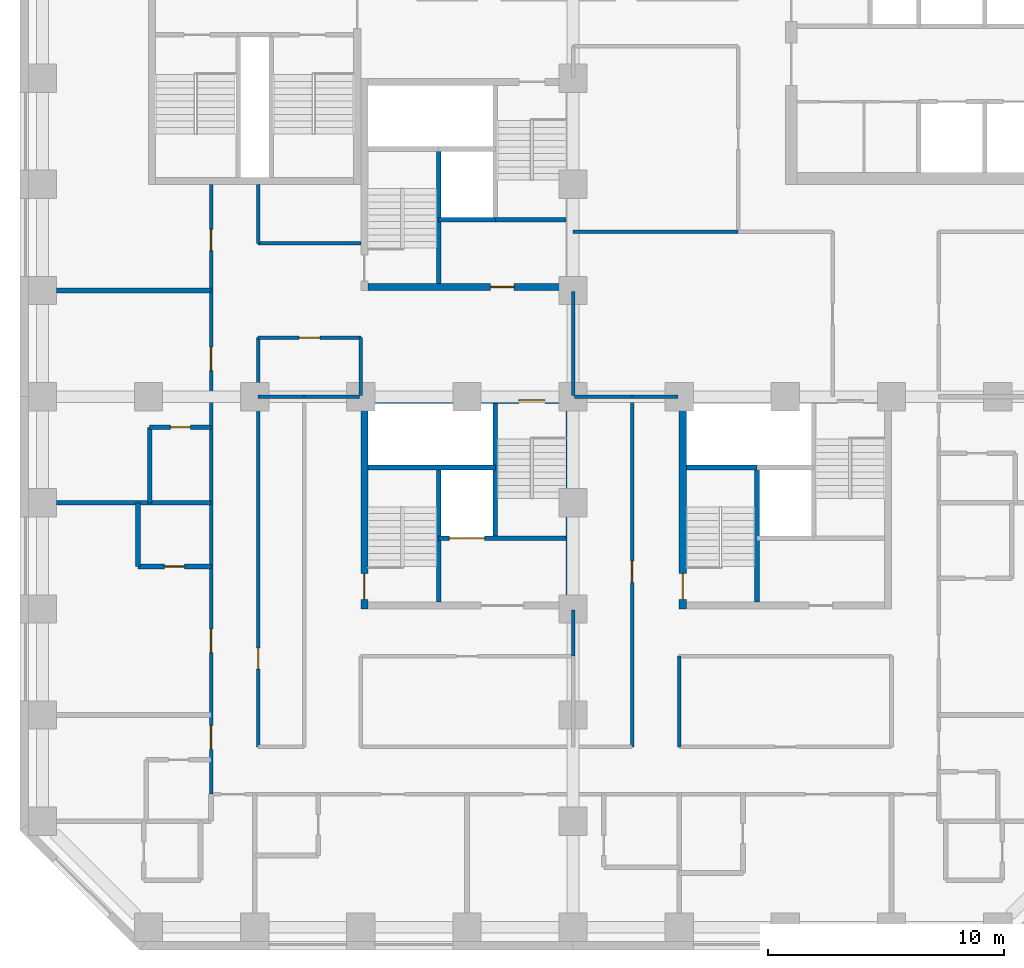
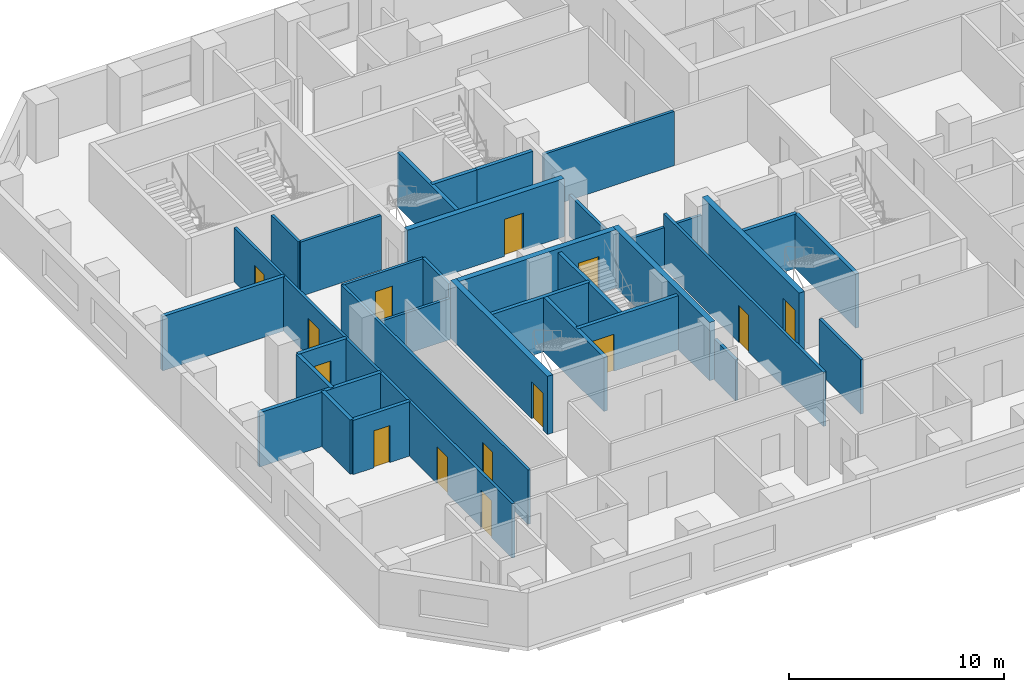
# One storey, part 3 of 12: 35 walls, 14 doors, 14 openings.
"""IFC4 building model written with IfcOpenShell, lengths in metres."""

from ifc_helpers import new_model, si_unit, direction, frame, frame_2d, origin, place, context, subcontext, project, spatial, rectangle, extrude, material, layer, layer_set, type_object, element, fill, save


model = new_model("IFC4")

# Units and contexts
model_context = context("Model", 3, precision=1e-05, world=origin(), true_north=direction((0.0, 1.0)))
body_context = subcontext(model_context, "Body", "Model", "MODEL_VIEW")
ifc_project = project(units=[si_unit("LENGTHUNIT", "METRE"), si_unit("AREAUNIT", "SQUARE_METRE"), si_unit("VOLUMEUNIT", "CUBIC_METRE"), si_unit("PLANEANGLEUNIT", "RADIAN"), si_unit("MASSUNIT", "GRAM", prefix="KILO")], contexts=[model_context])

# Site, building, storey
site_placement = place(None, origin())
site = spatial("IfcSite", under=ifc_project, at=site_placement, CompositionType="ELEMENT")
building_placement = place(site_placement, origin())
building = spatial("IfcBuilding", under=site, at=building_placement, Name="Quoin Convention Tower", CompositionType="ELEMENT")
storey_placement = place(building_placement, frame((0.0, 0.0, 42.89990234375)))
storey = spatial("IfcBuildingStorey", under=building, at=storey_placement, Name="L10", CompositionType="ELEMENT", Elevation=42.89990234375)

# Walls
ifc_material_1 = material(Name="Concrete C50", Category="concrete")
ifc_layer_1 = layer(ifc_material_1, 0.199951171875)
ifc_layer_set_1 = layer_set([ifc_layer_1], Name="Concrete C50")
wall_type_1 = type_object("IfcWallType", Name="Core shaft wall", PredefinedType="SOLIDWALL", material=ifc_layer_set_1)
wall_1_placement = place(storey_placement, frame((30.300048828125, 48.0, 0.0), z_axis=(0.0, 0.0, 1.0), x_axis=(1.0, 0.0, 0.0)))
element("IfcWall", 1, at=wall_1_placement, inside=storey, type_object=wall_type_1, Name="cr-P2-L10-h3000_3300", PredefinedType="SOLIDWALL", context=body_context, shape_type="SweptSolid", body=[
    extrude(rectangle(XDim=2.39990234375, YDim=0.199951171875, at=frame_2d((1.199951171875, 0.0))), origin(), (0.0, 0.0, 1.0), 3.080078125),
])
wall_2_placement = place(storey_placement, frame((32.699951171875, 48.0, 0.0), z_axis=(0.0, 0.0, 1.0), x_axis=(1.0, 0.0, 0.0)))
element("IfcWall", 2, at=wall_2_placement, inside=storey, type_object=wall_type_1, Name="cr-P2-L10-h3000_5700", PredefinedType="SOLIDWALL", context=body_context, shape_type="SweptSolid", body=[
    extrude(rectangle(XDim=3.0, YDim=0.199951171875, at=frame_2d((1.5, 0.0))), origin(), (0.0, 0.0, 1.0), 3.080078125),
])
wall_3_placement = place(storey_placement, frame((30.300048828125, 45.300048828125, 0.0), z_axis=(0.0, 0.0, 1.0), x_axis=(0.0, 1.0, 0.0)))
element("IfcWall", 3, at=wall_3_placement, inside=storey, type_object=wall_type_1, Name="cr-P2-L10-v3300_300", PredefinedType="SOLIDWALL", context=body_context, shape_type="SweptSolid", body=[
    extrude(rectangle(XDim=5.699951171875, YDim=0.199951171875, at=frame_2d((2.85009765625, 0.0))), origin(), (0.0, 0.0, 1.0), 3.080078125),
])
wall_4_placement = place(storey_placement, frame((40.800048828125, 37.5, 0.0), z_axis=(0.0, 0.0, 1.0), x_axis=(1.0, 0.0, 0.0)))
element("IfcWall", 4, at=wall_4_placement, inside=storey, type_object=wall_type_1, Name="cr-P3-L10-h6000_300", PredefinedType="SOLIDWALL", context=body_context, shape_type="SweptSolid", body=[
    extrude(rectangle(XDim=3.0, YDim=0.199951171875, at=frame_2d((1.5, 0.0))), origin(), (0.0, 0.0, 1.0), 3.080078125),
])
wall_5_placement = place(storey_placement, frame((43.800048828125, 31.800048828125, 0.0), z_axis=(0.0, 0.0, 1.0), x_axis=(0.0, 1.0, 0.0)))
element("IfcWall", 5, at=wall_5_placement, inside=storey, type_object=wall_type_1, Name="cr-P3-L10-v3300_300", PredefinedType="SOLIDWALL", context=body_context, shape_type="SweptSolid", body=[
    extrude(rectangle(XDim=5.699951171875, YDim=0.199951171875, at=frame_2d((2.85009765625, 0.0))), origin(), (0.0, 0.0, 1.0), 3.080078125),
])

# Wall, opening, door
wall_6_placement = place(storey_placement, frame((30.300048828125, 34.5, 0.0), z_axis=(0.0, 0.0, 1.0), x_axis=(1.0, 0.0, 0.0)))
wall_6 = element("IfcWall", 6, at=wall_6_placement, inside=storey, type_object=wall_type_1, Name="cr-P4-L10-h3000_3300", PredefinedType="SOLIDWALL", context=body_context, shape_type="SweptSolid", body=[
    extrude(rectangle(XDim=5.39990234375, YDim=0.199951171875, at=frame_2d((2.699951171875, 0.0))), origin(), (0.0, 0.0, 1.0), 3.080078125),
])
opening_1_placement = place(wall_6_placement, frame((0.449951171875, 0.0, 0.0)))
opening_1 = element("IfcOpeningElement", 7, at=opening_1_placement, cuts=wall_6, Name="Opening LDGL1", PredefinedType="OPENING", context=body_context, shape_type="SweptSolid", body=[
    extrude(rectangle(XDim=1.5, YDim=2.10009765625, at=frame_2d((0.75, 1.050048828125))), frame((0.0, 0.10986328125, 0.0), z_axis=(0.0, -1.0, 0.0), x_axis=(1.0, 0.0, 0.0)), (0.0, 0.0, 1.0), 0.219970703125),
])
ifc_material_2 = material(Name="Steel door leaf", Category="steel")
door_type_1 = type_object("IfcDoorType", Name="Lift landing door 1500 x 2100", OperationType="DOUBLE_DOOR_SLIDING", PredefinedType="DOOR", material=ifc_material_2)
door_1_placement = place(opening_1_placement, origin())
door_1 = element("IfcDoor", 8, at=door_1_placement, inside=storey, type_object=door_type_1, Name="cd-P4-L10-CEN-R2-LDGL1", OperationType="DOUBLE_DOOR_SLIDING", OverallHeight=2.10009765625, OverallWidth=1.5, PredefinedType="DOOR", context=body_context, shape_type="SweptSolid", body=[
    extrude(rectangle(XDim=1.5, YDim=2.10009765625, at=frame_2d((0.75, 1.050048828125))), frame((0.0, 0.02490234375, 0.0), z_axis=(0.0, -1.0, 0.0), x_axis=(1.0, 0.0, 0.0)), (0.0, 0.0, 1.0), 0.050048828125),
])
fill(opening_1, door_1)

# Walls
wall_7_placement = place(storey_placement, frame((27.300048828125, 37.5, 0.0), z_axis=(0.0, 0.0, 1.0), x_axis=(1.0, 0.0, 0.0)))
element("IfcWall", 9, at=wall_7_placement, inside=storey, type_object=wall_type_1, Name="cr-P4-L10-h6000_300", PredefinedType="SOLIDWALL", context=body_context, shape_type="SweptSolid", body=[
    extrude(rectangle(XDim=5.39990234375, YDim=0.199951171875, at=frame_2d((2.699951171875, 0.0))), origin(), (0.0, 0.0, 1.0), 3.080078125),
])
for number, where, z_axis, x_axis, name in (
    (10, (30.300048828125, 31.800048828125, 0.0), (0.0, 0.0, 1.0), (0.0, 1.0, 0.0), "cr-P4-L10-v3300_300"),
    (11, (32.699951171875, 34.5, 0.0), (0.0, 0.0, 1.0), (0.0, 1.0, 0.0), "cr-P4-L10-v5700_3000"),
):
    element("IfcWall", number, at=place(storey_placement, frame(where, z_axis=z_axis, x_axis=x_axis)), inside=storey, type_object=wall_type_1, Name=name, PredefinedType="SOLIDWALL", context=body_context, shape_type="SweptSolid", body=[
        extrude(rectangle(XDim=5.699951171875, YDim=0.199951171875, at=frame_2d((2.85009765625, 0.0))), origin(), (0.0, 0.0, 1.0), 3.080078125),
    ])

# Wall, opening, door
ifc_material_3 = material(Name="Concrete C80", Category="concrete")
ifc_layer_2 = layer(ifc_material_3, 0.300048828125)
ifc_layer_set_2 = layer_set([ifc_layer_2], Name="Concrete C80")
wall_type_2 = type_object("IfcWallType", Name="RC CORE WALL 300 C80", PredefinedType="SHEAR", material=ifc_layer_set_2)
wall_8_placement = place(storey_placement, frame((27.300048828125, 45.14990234375, 0.0), z_axis=(0.0, 0.0, 1.0), x_axis=(1.0, 0.0, 0.0)))
wall_8 = element("IfcWall", 12, at=wall_8_placement, inside=storey, type_object=wall_type_2, Name="cwl-P2-L10-S", PredefinedType="SHEAR", context=body_context, shape_type="SweptSolid", body=[
    extrude(rectangle(XDim=8.39990234375, YDim=0.300048828125, at=frame_2d((4.199951171875, 0.0))), origin(), (0.0, 0.0, 1.0), 3.300048828125),
])
opening_2_placement = place(wall_8_placement, frame((5.199951171875, 0.0, 0.0)))
opening_2 = element("IfcOpeningElement", 13, at=opening_2_placement, cuts=wall_8, Name="Opening DCV4-42", PredefinedType="OPENING", context=body_context, shape_type="SweptSolid", body=[
    extrude(rectangle(XDim=1.0, YDim=2.10009765625, at=frame_2d((0.5, 1.050048828125))), frame((0.0, 0.159912109375, 0.0), z_axis=(0.0, -1.0, 0.0), x_axis=(1.0, 0.0, 0.0)), (0.0, 0.0, 1.0), 0.320068359375),
])
door_type_2 = type_object("IfcDoorType", Name="Service door 1000 x 2100", OperationType="SINGLE_SWING_LEFT", PredefinedType="DOOR", material=ifc_material_2)
door_2_placement = place(opening_2_placement, origin())
door_2 = element("IfcDoor", 14, at=door_2_placement, inside=storey, type_object=door_type_2, Name="cd-P2-L10-R2-S", OperationType="SINGLE_SWING_LEFT", OverallHeight=2.10009765625, OverallWidth=1.0, PredefinedType="DOOR", context=body_context, shape_type="SweptSolid", body=[
    extrude(rectangle(XDim=1.0, YDim=2.10009765625, at=frame_2d((0.5, 1.050048828125))), frame((0.0, 0.02490234375, 0.0), z_axis=(0.0, -1.0, 0.0), x_axis=(1.0, 0.0, 0.0)), (0.0, 0.0, 1.0), 0.050048828125),
])
fill(opening_2, door_2)

wall_9_placement = place(storey_placement, frame((40.64990234375, 31.5, 0.0), z_axis=(0.0, 0.0, 1.0), x_axis=(0.0, 1.0, 0.0)))
wall_9 = element("IfcWall", 15, at=wall_9_placement, inside=storey, type_object=wall_type_2, Name="cwl-P3-L10-W", PredefinedType="SHEAR", context=body_context, shape_type="SweptSolid", body=[
    extrude(rectangle(XDim=9.0, YDim=0.300048828125, at=frame_2d((4.5, 0.0))), origin(), (0.0, 0.0, 1.0), 3.300048828125),
])
opening_3_placement = place(wall_9_placement, frame((0.39990234375, 0.0, 0.0)))
opening_3 = element("IfcOpeningElement", 16, at=opening_3_placement, cuts=wall_9, Name="Opening SD5", PredefinedType="OPENING", context=body_context, shape_type="SweptSolid", body=[
    extrude(rectangle(XDim=1.10009765625, YDim=2.10009765625, at=frame_2d((0.550048828125, 1.050048828125))), frame((0.0, 0.159912109375, 0.0), z_axis=(0.0, -1.0, 0.0), x_axis=(1.0, 0.0, 0.0)), (0.0, 0.0, 1.0), 0.320068359375),
])
door_type_3 = type_object("IfcDoorType", Name="Stair door 1100 x 2100", OperationType="SINGLE_SWING_RIGHT", PredefinedType="DOOR", material=ifc_material_2)
door_3_placement = place(opening_3_placement, frame((1.10009765625, 0.0, 0.0), z_axis=(0.0, 0.0, 1.0), x_axis=(-1.0, 0.0, 0.0)))
door_3 = element("IfcDoor", 17, at=door_3_placement, inside=storey, type_object=door_type_3, Name="cd-P3-L10-SA-W", OperationType="SINGLE_SWING_RIGHT", OverallHeight=2.10009765625, OverallWidth=1.10009765625, PredefinedType="DOOR", context=body_context, shape_type="SweptSolid", body=[
    extrude(rectangle(XDim=1.10009765625, YDim=2.10009765625, at=frame_2d((0.550048828125, 1.050048828125))), frame((0.0, 0.02490234375, 0.0), z_axis=(0.0, -1.0, 0.0), x_axis=(1.0, 0.0, 0.0)), (0.0, 0.0, 1.0), 0.050048828125),
])
fill(opening_3, door_3)

wall_10_placement = place(storey_placement, frame((27.300048828125, 40.35009765625, 0.0), z_axis=(0.0, 0.0, 1.0), x_axis=(1.0, 0.0, 0.0)))
wall_10 = element("IfcWall", 18, at=wall_10_placement, inside=storey, type_object=wall_type_2, Name="cwl-P4-L10-N", PredefinedType="SHEAR", context=body_context, shape_type="SweptSolid", body=[
    extrude(rectangle(XDim=8.39990234375, YDim=0.300048828125, at=frame_2d((4.199951171875, 0.0))), origin(), (0.0, 0.0, 1.0), 3.300048828125),
])
opening_4_placement = place(wall_10_placement, frame((6.39990234375, 0.0, 0.0)))
opening_4 = element("IfcOpeningElement", 19, at=opening_4_placement, cuts=wall_10, Name="Opening SD8", PredefinedType="OPENING", context=body_context, shape_type="SweptSolid", body=[
    extrude(rectangle(XDim=1.10009765625, YDim=2.10009765625, at=frame_2d((0.550048828125, 1.050048828125))), frame((0.0, 0.159912109375, 0.0), z_axis=(0.0, -1.0, 0.0), x_axis=(1.0, 0.0, 0.0)), (0.0, 0.0, 1.0), 0.320068359375),
])
door_4_placement = place(opening_4_placement, frame((1.10009765625, 0.0, 0.0), z_axis=(0.0, 0.0, 1.0), x_axis=(-1.0, 0.0, 0.0)))
door_4 = element("IfcDoor", 20, at=door_4_placement, inside=storey, type_object=door_type_3, Name="cd-P4-L10-SB-N", OperationType="SINGLE_SWING_LEFT", OverallHeight=2.10009765625, OverallWidth=1.10009765625, PredefinedType="DOOR", context=body_context, shape_type="SweptSolid", body=[
    extrude(rectangle(XDim=1.10009765625, YDim=2.10009765625, at=frame_2d((0.550048828125, 1.050048828125))), frame((0.0, 0.02490234375, 0.0), z_axis=(0.0, -1.0, 0.0), x_axis=(1.0, 0.0, 0.0)), (0.0, 0.0, 1.0), 0.050048828125),
])
fill(opening_4, door_4)

wall_11_placement = place(storey_placement, frame((27.14990234375, 31.5, 0.0), z_axis=(0.0, 0.0, 1.0), x_axis=(0.0, 1.0, 0.0)))
wall_11 = element("IfcWall", 21, at=wall_11_placement, inside=storey, type_object=wall_type_2, Name="cwl-P4-L10-W", PredefinedType="SHEAR", context=body_context, shape_type="SweptSolid", body=[
    extrude(rectangle(XDim=9.0, YDim=0.300048828125, at=frame_2d((4.5, 0.0))), origin(), (0.0, 0.0, 1.0), 3.300048828125),
])
opening_5_placement = place(wall_11_placement, frame((0.39990234375, 0.0, 0.0)))
opening_5 = element("IfcOpeningElement", 22, at=opening_5_placement, cuts=wall_11, Name="Opening SD7", PredefinedType="OPENING", context=body_context, shape_type="SweptSolid", body=[
    extrude(rectangle(XDim=1.10009765625, YDim=2.10009765625, at=frame_2d((0.550048828125, 1.050048828125))), frame((0.0, 0.159912109375, 0.0), z_axis=(0.0, -1.0, 0.0), x_axis=(1.0, 0.0, 0.0)), (0.0, 0.0, 1.0), 0.320068359375),
])
door_5_placement = place(opening_5_placement, frame((1.10009765625, 0.0, 0.0), z_axis=(0.0, 0.0, 1.0), x_axis=(-1.0, 0.0, 0.0)))
door_5 = element("IfcDoor", 23, at=door_5_placement, inside=storey, type_object=door_type_3, Name="cd-P4-L10-SA-W", OperationType="SINGLE_SWING_RIGHT", OverallHeight=2.10009765625, OverallWidth=1.10009765625, PredefinedType="DOOR", context=body_context, shape_type="SweptSolid", body=[
    extrude(rectangle(XDim=1.10009765625, YDim=2.10009765625, at=frame_2d((0.550048828125, 1.050048828125))), frame((0.0, 0.02490234375, 0.0), z_axis=(0.0, -1.0, 0.0), x_axis=(1.0, 0.0, 0.0)), (0.0, 0.0, 1.0), 0.050048828125),
])
fill(opening_5, door_5)

# Wall
wall_12_placement = place(storey_placement, frame((35.85009765625, 31.5, 0.0), z_axis=(0.0, 0.0, 1.0), x_axis=(0.0, 1.0, 0.0)))
element("IfcWall", 24, at=wall_12_placement, inside=storey, type_object=wall_type_2, Name="cwl-P4-L10-E", PredefinedType="SHEAR", context=body_context, shape_type="SweptSolid", body=[
    extrude(rectangle(XDim=9.0, YDim=0.300048828125, at=frame_2d((4.5, 0.0))), origin(), (0.0, 0.0, 1.0), 3.300048828125),
])

# Wall, opening, door
ifc_layer_3 = layer(ifc_material_1, 0.199951171875)
ifc_layer_set_3 = layer_set([ifc_layer_3], Name="Concrete C50")
wall_type_3 = type_object("IfcWallType", Name="RC party wall", PredefinedType="SOLIDWALL", material=ifc_layer_set_3)
wall_13_placement = place(storey_placement, frame((17.550048828125, 33.300048828125, 0.0), z_axis=(0.0, 0.0, 1.0), x_axis=(1.0, 0.0, 0.0)))
wall_13 = element("IfcWall", 25, at=wall_13_placement, inside=storey, type_object=wall_type_3, Name="pw-L10-065", PredefinedType="SOLIDWALL", context=body_context, shape_type="SweptSolid", body=[
    extrude(rectangle(XDim=3.099853515625, YDim=0.199951171875, at=frame_2d((1.5498046875, 0.0))), origin(), (0.0, 0.0, 1.0), 3.080078125),
])
opening_6_placement = place(wall_13_placement, frame((1.125, 0.0, 0.0)))
opening_6 = element("IfcOpeningElement", 26, at=opening_6_placement, cuts=wall_13, Name="Opening DHOTEL-F-47", PredefinedType="OPENING", context=body_context, shape_type="SweptSolid", body=[
    extrude(rectangle(XDim=0.85009765625, YDim=2.10009765625, at=frame_2d((0.425048828125, 1.050048828125))), frame((0.0, 0.10986328125, 0.0), z_axis=(0.0, -1.0, 0.0), x_axis=(1.0, 0.0, 0.0)), (0.0, 0.0, 1.0), 0.219970703125),
])
door_type_4 = type_object("IfcDoorType", Name="Bathroom door", OperationType="SINGLE_SWING_LEFT", PredefinedType="DOOR", material=ifc_material_2)
door_6_placement = place(opening_6_placement, frame((0.85009765625, 0.0, 0.0), z_axis=(0.0, 0.0, 1.0), x_axis=(-1.0, 0.0, 0.0)))
door_6 = element("IfcDoor", 27, at=door_6_placement, inside=storey, type_object=door_type_4, Name="dr-L10-010", OperationType="SINGLE_SWING_LEFT", OverallHeight=2.10009765625, OverallWidth=0.85009765625, PredefinedType="DOOR", context=body_context, shape_type="SweptSolid", body=[
    extrude(rectangle(XDim=0.85009765625, YDim=2.10009765625, at=frame_2d((0.425048828125, 1.050048828125))), frame((0.0, 0.02490234375, 0.0), z_axis=(0.0, -1.0, 0.0), x_axis=(1.0, 0.0, 0.0)), (0.0, 0.0, 1.0), 0.050048828125),
])
fill(opening_6, door_6)

# Walls
wall_14_placement = place(storey_placement, frame((17.550048828125, 33.300048828125, 0.0), z_axis=(0.0, 0.0, 1.0), x_axis=(0.0, 1.0, 0.0)))
element("IfcWall", 28, at=wall_14_placement, inside=storey, type_object=wall_type_3, Name="pw-L10-066", PredefinedType="SOLIDWALL", context=body_context, shape_type="SweptSolid", body=[
    extrude(rectangle(XDim=2.699951171875, YDim=0.199951171875, at=frame_2d((1.35009765625, 0.0))), origin(), (0.0, 0.0, 1.0), 3.080078125),
])
wall_15_placement = place(storey_placement, frame((14.10009765625, 36.0, 0.0), z_axis=(0.0, 0.0, 1.0), x_axis=(1.0, 0.0, 0.0)))
element("IfcWall", 29, at=wall_15_placement, inside=storey, type_object=wall_type_3, Name="pw-L10-067", PredefinedType="SOLIDWALL", context=body_context, shape_type="SweptSolid", body=[
    extrude(rectangle(XDim=6.5498046875, YDim=0.199951171875, at=frame_2d((3.27490234375, 0.0))), origin(), (0.0, 0.0, 1.0), 3.080078125),
])
wall_16_placement = place(storey_placement, frame((18.050048828125, 36.0, 0.0), z_axis=(0.0, 0.0, 1.0), x_axis=(0.0, 1.0, 0.0)))
element("IfcWall", 30, at=wall_16_placement, inside=storey, type_object=wall_type_3, Name="pw-L10-068", PredefinedType="SOLIDWALL", context=body_context, shape_type="SweptSolid", body=[
    extrude(rectangle(XDim=3.199951171875, YDim=0.199951171875, at=frame_2d((1.60009765625, 0.0))), origin(), (0.0, 0.0, 1.0), 3.080078125),
])

# Wall, opening, door
wall_17_placement = place(storey_placement, frame((18.050048828125, 39.199951171875, 0.0), z_axis=(0.0, 0.0, 1.0), x_axis=(1.0, 0.0, 0.0)))
wall_17 = element("IfcWall", 31, at=wall_17_placement, inside=storey, type_object=wall_type_3, Name="pw-L10-072", PredefinedType="SOLIDWALL", context=body_context, shape_type="SweptSolid", body=[
    extrude(rectangle(XDim=2.599853515625, YDim=0.199951171875, at=frame_2d((1.2998046875, 0.0))), origin(), (0.0, 0.0, 1.0), 3.080078125),
])
opening_7_placement = place(wall_17_placement, frame((0.875, 0.0, 0.0)))
opening_7 = element("IfcOpeningElement", 32, at=opening_7_placement, cuts=wall_17, Name="Opening DHOTEL-F-49", PredefinedType="OPENING", context=body_context, shape_type="SweptSolid", body=[
    extrude(rectangle(XDim=0.85009765625, YDim=2.10009765625, at=frame_2d((0.425048828125, 1.050048828125))), frame((0.0, 0.10986328125, 0.0), z_axis=(0.0, -1.0, 0.0), x_axis=(1.0, 0.0, 0.0)), (0.0, 0.0, 1.0), 0.219970703125),
])
door_7_placement = place(opening_7_placement, origin())
door_7 = element("IfcDoor", 33, at=door_7_placement, inside=storey, type_object=door_type_4, Name="dr-L10-012", OperationType="SINGLE_SWING_RIGHT", OverallHeight=2.10009765625, OverallWidth=0.85009765625, PredefinedType="DOOR", context=body_context, shape_type="SweptSolid", body=[
    extrude(rectangle(XDim=0.85009765625, YDim=2.10009765625, at=frame_2d((0.425048828125, 1.050048828125))), frame((0.0, 0.02490234375, 0.0), z_axis=(0.0, -1.0, 0.0), x_axis=(1.0, 0.0, 0.0)), (0.0, 0.0, 1.0), 0.050048828125),
])
fill(opening_7, door_7)

# Wall
wall_18_placement = place(storey_placement, frame((14.10009765625, 45.0, 0.0), z_axis=(0.0, 0.0, 1.0), x_axis=(1.0, 0.0, 0.0)))
element("IfcWall", 34, at=wall_18_placement, inside=storey, type_object=wall_type_3, Name="pw-L10-082", PredefinedType="SOLIDWALL", context=body_context, shape_type="SweptSolid", body=[
    extrude(rectangle(XDim=6.5498046875, YDim=0.199951171875, at=frame_2d((3.27490234375, 0.0))), origin(), (0.0, 0.0, 1.0), 3.080078125),
])

# Wall, openings, doors
ifc_material_4 = material(Name="Plasterboard")
ifc_layer_4 = layer(ifc_material_4, 0.012451171875, Name="Finish")
ifc_material_5 = material(Name="Steel stud framing", Category="steel")
ifc_layer_5 = layer(ifc_material_5, 0.125, Name="Structure")
ifc_layer_6 = layer(ifc_material_4, 0.012451171875, Name="Finish")
ifc_layer_set_4 = layer_set([ifc_layer_4, ifc_layer_5, ifc_layer_6], Name="Steel stud framing")
wall_type_4 = type_object("IfcWallType", Name="corridor partition", PredefinedType="PARTITIONING", material=ifc_layer_set_4)
wall_19_placement = place(storey_placement, frame((20.64990234375, 23.64990234375, 0.0), z_axis=(0.0, 0.0, 1.0), x_axis=(0.0, 1.0, 0.0)))
wall_19 = element("IfcWall", 35, at=wall_19_placement, inside=storey, type_object=wall_type_4, Name="pw-L10-004", PredefinedType="PARTITIONING", context=body_context, shape_type="SweptSolid", body=[
    extrude(rectangle(XDim=25.85009765625, YDim=0.14990234375, at=frame_2d((12.925048828125, 0.0))), origin(), (0.0, 0.0, 1.0), 3.080078125),
])
opening_8_placement = place(wall_19_placement, frame((1.89990234375, 0.0, 0.0)))
opening_8 = element("IfcOpeningElement", 36, at=opening_8_placement, cuts=wall_19, Name="Opening DHOTEL-F-06", PredefinedType="OPENING", context=body_context, shape_type="SweptSolid", body=[
    extrude(rectangle(XDim=1.0, YDim=2.10009765625, at=frame_2d((0.5, 1.050048828125))), frame((0.0, 0.0849609375, 0.0), z_axis=(0.0, -1.0, 0.0), x_axis=(1.0, 0.0, 0.0)), (0.0, 0.0, 1.0), 0.169921875),
])
opening_9_placement = place(wall_19_placement, frame((6.0, 0.0, 0.0)))
opening_9 = element("IfcOpeningElement", 37, at=opening_9_placement, cuts=wall_19, Name="Opening DHOTEL-F-07", PredefinedType="OPENING", context=body_context, shape_type="SweptSolid", body=[
    extrude(rectangle(XDim=1.0, YDim=2.10009765625, at=frame_2d((0.5, 1.050048828125))), frame((0.0, 0.0849609375, 0.0), z_axis=(0.0, -1.0, 0.0), x_axis=(1.0, 0.0, 0.0)), (0.0, 0.0, 1.0), 0.169921875),
])
opening_10_placement = place(wall_19_placement, frame((17.949951171875, 0.0, 0.0)))
opening_10 = element("IfcOpeningElement", 38, at=opening_10_placement, cuts=wall_19, Name="Opening DHOTEL-F-08", PredefinedType="OPENING", context=body_context, shape_type="SweptSolid", body=[
    extrude(rectangle(XDim=1.0, YDim=2.10009765625, at=frame_2d((0.5, 1.050048828125))), frame((0.0, 0.0849609375, 0.0), z_axis=(0.0, -1.0, 0.0), x_axis=(1.0, 0.0, 0.0)), (0.0, 0.0, 1.0), 0.169921875),
])
opening_11_placement = place(wall_19_placement, frame((23.0400390625, 0.0, 0.0)))
opening_11 = element("IfcOpeningElement", 39, at=opening_11_placement, cuts=wall_19, Name="Opening DHOTEL-F-09", PredefinedType="OPENING", context=body_context, shape_type="SweptSolid", body=[
    extrude(rectangle(XDim=0.89990234375, YDim=2.10009765625, at=frame_2d((0.449951171875, 1.050048828125))), frame((0.0, 0.0849609375, 0.0), z_axis=(0.0, -1.0, 0.0), x_axis=(1.0, 0.0, 0.0)), (0.0, 0.0, 1.0), 0.169921875),
])
door_type_5 = type_object("IfcDoorType", Name="Hotel room door", OperationType="SINGLE_SWING_LEFT", PredefinedType="DOOR", material=ifc_material_2)
door_8_placement = place(opening_8_placement, origin())
door_8 = element("IfcDoor", 40, at=door_8_placement, inside=storey, type_object=door_type_5, Name="dr-L10-007", OperationType="SINGLE_SWING_RIGHT", OverallHeight=2.10009765625, OverallWidth=1.0, PredefinedType="DOOR", context=body_context, shape_type="SweptSolid", body=[
    extrude(rectangle(XDim=1.0, YDim=2.10009765625, at=frame_2d((0.5, 1.050048828125))), frame((0.0, 0.02490234375, 0.0), z_axis=(0.0, -1.0, 0.0), x_axis=(1.0, 0.0, 0.0)), (0.0, 0.0, 1.0), 0.050048828125),
])
fill(opening_8, door_8)
door_9_placement = place(opening_9_placement, origin())
door_9 = element("IfcDoor", 41, at=door_9_placement, inside=storey, type_object=door_type_5, Name="dr-L10-009", OperationType="SINGLE_SWING_RIGHT", OverallHeight=2.10009765625, OverallWidth=1.0, PredefinedType="DOOR", context=body_context, shape_type="SweptSolid", body=[
    extrude(rectangle(XDim=1.0, YDim=2.10009765625, at=frame_2d((0.5, 1.050048828125))), frame((0.0, 0.02490234375, 0.0), z_axis=(0.0, -1.0, 0.0), x_axis=(1.0, 0.0, 0.0)), (0.0, 0.0, 1.0), 0.050048828125),
])
fill(opening_9, door_9)
door_10_placement = place(opening_10_placement, origin())
door_10 = element("IfcDoor", 42, at=door_10_placement, inside=storey, type_object=door_type_5, Name="dr-L10-011", OperationType="SINGLE_SWING_RIGHT", OverallHeight=2.10009765625, OverallWidth=1.0, PredefinedType="DOOR", context=body_context, shape_type="SweptSolid", body=[
    extrude(rectangle(XDim=1.0, YDim=2.10009765625, at=frame_2d((0.5, 1.050048828125))), frame((0.0, 0.02490234375, 0.0), z_axis=(0.0, -1.0, 0.0), x_axis=(1.0, 0.0, 0.0)), (0.0, 0.0, 1.0), 0.050048828125),
])
fill(opening_10, door_10)
door_type_6 = type_object("IfcDoorType", Name="Single room door", OperationType="SINGLE_SWING_RIGHT", PredefinedType="DOOR", material=ifc_material_2)
door_11_placement = place(opening_11_placement, origin())
door_11 = element("IfcDoor", 43, at=door_11_placement, inside=storey, type_object=door_type_6, Name="dr-L10-w01", OperationType="SINGLE_SWING_LEFT", OverallHeight=2.10009765625, OverallWidth=0.89990234375, PredefinedType="DOOR", context=body_context, shape_type="SweptSolid", body=[
    extrude(rectangle(XDim=0.89990234375, YDim=2.10009765625, at=frame_2d((0.449951171875, 1.050048828125))), frame((0.0, 0.02490234375, 0.0), z_axis=(0.0, -1.0, 0.0), x_axis=(1.0, 0.0, 0.0)), (0.0, 0.0, 1.0), 0.050048828125),
])
fill(opening_11, door_11)

# Wall, opening, door
wall_20_placement = place(storey_placement, frame((22.64990234375, 25.64990234375, 0.0), z_axis=(0.0, 0.0, 1.0), x_axis=(0.0, 1.0, 0.0)))
wall_20 = element("IfcWall", 44, at=wall_20_placement, inside=storey, type_object=wall_type_4, Name="pw-L10-007", PredefinedType="PARTITIONING", context=body_context, shape_type="SweptSolid", body=[
    extrude(rectangle(XDim=17.35009765625, YDim=0.14990234375, at=frame_2d((8.675048828125, 0.0))), origin(), (0.0, 0.0, 1.0), 3.080078125),
])
opening_12_placement = place(wall_20_placement, frame((3.300048828125, 0.0, 0.0)))
opening_12 = element("IfcOpeningElement", 45, at=opening_12_placement, cuts=wall_20, Name="Opening DHOTEL-F-14", PredefinedType="OPENING", context=body_context, shape_type="SweptSolid", body=[
    extrude(rectangle(XDim=0.89990234375, YDim=2.10009765625, at=frame_2d((0.449951171875, 1.050048828125))), frame((0.0, 0.0849609375, 0.0), z_axis=(0.0, -1.0, 0.0), x_axis=(1.0, 0.0, 0.0)), (0.0, 0.0, 1.0), 0.169921875),
])
door_type_7 = type_object("IfcDoorType", Name="Service room door", OperationType="SINGLE_SWING_LEFT", PredefinedType="DOOR", material=ifc_material_2)
door_12_placement = place(opening_12_placement, frame((0.89990234375, 0.0, 0.0), z_axis=(0.0, 0.0, 1.0), x_axis=(-1.0, 0.0, 0.0)))
door_12 = element("IfcDoor", 46, at=door_12_placement, inside=storey, type_object=door_type_7, Name="dr-L10-067", OperationType="SINGLE_SWING_RIGHT", OverallHeight=2.10009765625, OverallWidth=0.89990234375, PredefinedType="DOOR", context=body_context, shape_type="SweptSolid", body=[
    extrude(rectangle(XDim=0.89990234375, YDim=2.10009765625, at=frame_2d((0.449951171875, 1.050048828125))), frame((0.0, 0.02490234375, 0.0), z_axis=(0.0, -1.0, 0.0), x_axis=(1.0, 0.0, 0.0)), (0.0, 0.0, 1.0), 0.050048828125),
])
fill(opening_12, door_12)

wall_21_placement = place(storey_placement, frame((38.5, 25.64990234375, 0.0), z_axis=(0.0, 0.0, 1.0), x_axis=(0.0, 1.0, 0.0)))
wall_21 = element("IfcWall", 47, at=wall_21_placement, inside=storey, type_object=wall_type_4, Name="pw-L10-011", PredefinedType="PARTITIONING", context=body_context, shape_type="SweptSolid", body=[
    extrude(rectangle(XDim=14.85009765625, YDim=0.14990234375, at=frame_2d((7.425048828125, 0.0))), origin(), (0.0, 0.0, 1.0), 3.080078125),
])
opening_13_placement = place(wall_21_placement, frame((6.97509765625, 0.0, 0.0)))
opening_13 = element("IfcOpeningElement", 48, at=opening_13_placement, cuts=wall_21, Name="Opening DHOTEL-F-15", PredefinedType="OPENING", context=body_context, shape_type="SweptSolid", body=[
    extrude(rectangle(XDim=0.89990234375, YDim=2.10009765625, at=frame_2d((0.449951171875, 1.050048828125))), frame((0.0, 0.0849609375, 0.0), z_axis=(0.0, -1.0, 0.0), x_axis=(1.0, 0.0, 0.0)), (0.0, 0.0, 1.0), 0.169921875),
])
door_13_placement = place(opening_13_placement, origin())
door_13 = element("IfcDoor", 49, at=door_13_placement, inside=storey, type_object=door_type_6, Name="dr-L10-069", OperationType="SINGLE_SWING_RIGHT", OverallHeight=2.10009765625, OverallWidth=0.89990234375, PredefinedType="DOOR", context=body_context, shape_type="SweptSolid", body=[
    extrude(rectangle(XDim=0.89990234375, YDim=2.10009765625, at=frame_2d((0.449951171875, 1.050048828125))), frame((0.0, 0.02490234375, 0.0), z_axis=(0.0, -1.0, 0.0), x_axis=(1.0, 0.0, 0.0)), (0.0, 0.0, 1.0), 0.050048828125),
])
fill(opening_13, door_13)

# Walls
wall_22_placement = place(storey_placement, frame((40.5, 25.64990234375, 0.0), z_axis=(0.0, 0.0, 1.0), x_axis=(0.0, 1.0, 0.0)))
element("IfcWall", 50, at=wall_22_placement, inside=storey, type_object=wall_type_4, Name="pw-L10-013", PredefinedType="PARTITIONING", context=body_context, shape_type="SweptSolid", body=[
    extrude(rectangle(XDim=3.85009765625, YDim=0.14990234375, at=frame_2d((1.925048828125, 0.0))), origin(), (0.0, 0.0, 1.0), 3.080078125),
])
wall_23_placement = place(storey_placement, frame((27.0, 40.550048828125, 0.0), z_axis=(0.0, 0.0, 1.0), x_axis=(0.0, 1.0, 0.0)))
element("IfcWall", 51, at=wall_23_placement, inside=storey, type_object=wall_type_4, Name="pw-L10-020", PredefinedType="PARTITIONING", context=body_context, shape_type="SweptSolid", body=[
    extrude(rectangle(XDim=2.449951171875, YDim=0.14990234375, at=frame_2d((1.22509765625, 0.0))), origin(), (0.0, 0.0, 1.0), 3.080078125),
])

# Wall, opening, door
wall_24_placement = place(storey_placement, frame((22.64990234375, 43.0, 0.0), z_axis=(0.0, 0.0, 1.0), x_axis=(1.0, 0.0, 0.0)))
wall_24 = element("IfcWall", 52, at=wall_24_placement, inside=storey, type_object=wall_type_4, Name="pw-L10-023", PredefinedType="PARTITIONING", context=body_context, shape_type="SweptSolid", body=[
    extrude(rectangle(XDim=4.35009765625, YDim=0.14990234375, at=frame_2d((2.175048828125, 0.0))), origin(), (0.0, 0.0, 1.0), 3.080078125),
])
opening_14_placement = place(wall_24_placement, frame((1.72509765625, 0.0, 0.0)))
opening_14 = element("IfcOpeningElement", 53, at=opening_14_placement, cuts=wall_24, Name="Opening DHOTEL-F-19", PredefinedType="OPENING", context=body_context, shape_type="SweptSolid", body=[
    extrude(rectangle(XDim=0.89990234375, YDim=2.10009765625, at=frame_2d((0.449951171875, 1.050048828125))), frame((0.0, 0.0849609375, 0.0), z_axis=(0.0, -1.0, 0.0), x_axis=(1.0, 0.0, 0.0)), (0.0, 0.0, 1.0), 0.169921875),
])
door_type_8 = type_object("IfcDoorType", Name="Toilet door", OperationType="SINGLE_SWING_LEFT", PredefinedType="DOOR", material=ifc_material_2)
door_14_placement = place(opening_14_placement, frame((0.89990234375, 0.0, 0.0), z_axis=(0.0, 0.0, 1.0), x_axis=(-1.0, 0.0, 0.0)))
door_14 = element("IfcDoor", 54, at=door_14_placement, inside=storey, type_object=door_type_8, Name="dr-L10-071", OperationType="SINGLE_SWING_LEFT", OverallHeight=2.10009765625, OverallWidth=0.89990234375, PredefinedType="DOOR", context=body_context, shape_type="SweptSolid", body=[
    extrude(rectangle(XDim=0.89990234375, YDim=2.10009765625, at=frame_2d((0.449951171875, 1.050048828125))), frame((0.0, 0.02490234375, 0.0), z_axis=(0.0, -1.0, 0.0), x_axis=(1.0, 0.0, 0.0)), (0.0, 0.0, 1.0), 0.050048828125),
])
fill(opening_14, door_14)

# Walls
wall_25_placement = place(storey_placement, frame((22.64990234375, 47.0, 0.0), z_axis=(0.0, 0.0, 1.0), x_axis=(1.0, 0.0, 0.0)))
element("IfcWall", 55, at=wall_25_placement, inside=storey, type_object=wall_type_4, Name="pw-L10-024", PredefinedType="PARTITIONING", context=body_context, shape_type="SweptSolid", body=[
    extrude(rectangle(XDim=4.35009765625, YDim=0.14990234375, at=frame_2d((2.175048828125, 0.0))), origin(), (0.0, 0.0, 1.0), 3.080078125),
])
wall_26_placement = place(storey_placement, frame((22.64990234375, 47.0, 0.0), z_axis=(0.0, 0.0, 1.0), x_axis=(0.0, 1.0, 0.0)))
element("IfcWall", 56, at=wall_26_placement, inside=storey, type_object=wall_type_4, Name="pw-L10-025", PredefinedType="PARTITIONING", context=body_context, shape_type="SweptSolid", body=[
    extrude(rectangle(XDim=2.5, YDim=0.14990234375, at=frame_2d((1.25, 0.0))), origin(), (0.0, 0.0, 1.0), 3.080078125),
])
ifc_layer_7 = layer(ifc_material_4, 0.012451171875, Name="Finish")
ifc_layer_8 = layer(ifc_material_5, 0.125, Name="Structure")
ifc_layer_9 = layer(ifc_material_4, 0.012451171875, Name="Finish")
ifc_layer_set_5 = layer_set([ifc_layer_7, ifc_layer_8, ifc_layer_9], Name="Steel stud framing")
wall_type_5 = type_object("IfcWallType", Name="corridor partition under beam 750", PredefinedType="PARTITIONING", material=ifc_layer_set_5)
wall_27_placement = place(storey_placement, frame((36.0, 29.5, 0.0), z_axis=(0.0, 0.0, 1.0), x_axis=(0.0, 1.0, 0.0)))
element("IfcWall", 57, at=wall_27_placement, inside=storey, type_object=wall_type_5, Name="pw-L10-016", PredefinedType="PARTITIONING", context=body_context, shape_type="SweptSolid", body=[
    extrude(rectangle(XDim=1.949951171875, YDim=0.14990234375, at=frame_2d((0.97509765625, 0.0))), origin(), (0.0, 0.0, 1.0), 2.330078125),
])
wall_28_placement = place(storey_placement, frame((24.60009765625, 40.5, 0.0), z_axis=(0.0, 0.0, 1.0), x_axis=(1.0, 0.0, 0.0)))
element("IfcWall", 58, at=wall_28_placement, inside=storey, type_object=wall_type_5, Name="pw-L10-018", PredefinedType="PARTITIONING", context=body_context, shape_type="SweptSolid", body=[
    extrude(rectangle(XDim=2.349853515625, YDim=0.14990234375, at=frame_2d((1.1748046875, 0.0))), origin(), (0.0, 0.0, 1.0), 2.330078125),
])
wall_29_placement = place(storey_placement, frame((38.5, 40.5, 0.0), z_axis=(0.0, 0.0, 1.0), x_axis=(1.0, 0.0, 0.0)))
element("IfcWall", 59, at=wall_29_placement, inside=storey, type_object=wall_type_5, Name="pw-L10-019", PredefinedType="PARTITIONING", context=body_context, shape_type="SweptSolid", body=[
    extrude(rectangle(XDim=1.949951171875, YDim=0.14990234375, at=frame_2d((0.97509765625, 0.0))), origin(), (0.0, 0.0, 1.0), 2.330078125),
])
wall_30_placement = place(storey_placement, frame((36.0, 40.550048828125, 0.0), z_axis=(0.0, 0.0, 1.0), x_axis=(0.0, 1.0, 0.0)))
element("IfcWall", 60, at=wall_30_placement, inside=storey, type_object=wall_type_5, Name="pw-L10-021", PredefinedType="PARTITIONING", context=body_context, shape_type="SweptSolid", body=[
    extrude(rectangle(XDim=4.39990234375, YDim=0.14990234375, at=frame_2d((2.199951171875, 0.0))), origin(), (0.0, 0.0, 1.0), 2.330078125),
])
ifc_layer_10 = layer(ifc_material_4, 0.012451171875, Name="Finish")
ifc_layer_11 = layer(ifc_material_5, 0.125, Name="Structure")
ifc_layer_12 = layer(ifc_material_4, 0.012451171875, Name="Finish")
ifc_layer_set_6 = layer_set([ifc_layer_10, ifc_layer_11, ifc_layer_12], Name="Steel stud framing")
wall_type_6 = type_object("IfcWallType", Name="room partition", PredefinedType="PARTITIONING", material=ifc_layer_set_6)
wall_31_placement = place(storey_placement, frame((36.0, 47.5, 0.0), z_axis=(0.0, 0.0, 1.0), x_axis=(1.0, 0.0, 0.0)))
element("IfcWall", 61, at=wall_31_placement, inside=storey, type_object=wall_type_6, Name="pw-L10-155", PredefinedType="PARTITIONING", context=body_context, shape_type="SweptSolid", body=[
    extrude(rectangle(XDim=7.0, YDim=0.14990234375, at=frame_2d((3.5, 0.0))), origin(), (0.0, 0.0, 1.0), 3.080078125),
])
ifc_layer_13 = layer(ifc_material_4, 0.012451171875, Name="Finish")
ifc_layer_14 = layer(ifc_material_5, 0.125, Name="Structure")
ifc_layer_15 = layer(ifc_material_4, 0.012451171875, Name="Finish")
ifc_layer_set_7 = layer_set([ifc_layer_13, ifc_layer_14, ifc_layer_15], Name="Steel stud framing")
wall_type_7 = type_object("IfcWallType", Name="room partition under beam 750", PredefinedType="PARTITIONING", material=ifc_layer_set_7)
wall_32_placement = place(storey_placement, frame((22.64990234375, 40.5, 0.0), z_axis=(0.0, 0.0, 1.0), x_axis=(1.0, 0.0, 0.0)))
element("IfcWall", 62, at=wall_32_placement, inside=storey, type_object=wall_type_7, Name="pw-L10-151", PredefinedType="PARTITIONING", context=body_context, shape_type="SweptSolid", body=[
    extrude(rectangle(XDim=1.9501953125, YDim=0.14990234375, at=frame_2d((0.97509765625, 0.0))), origin(), (0.0, 0.0, 1.0), 2.330078125),
])
wall_33_placement = place(storey_placement, frame((36.050048828125, 40.5, 0.0), z_axis=(0.0, 0.0, 1.0), x_axis=(1.0, 0.0, 0.0)))
element("IfcWall", 63, at=wall_33_placement, inside=storey, type_object=wall_type_7, Name="pw-L10-152", PredefinedType="PARTITIONING", context=body_context, shape_type="SweptSolid", body=[
    extrude(rectangle(XDim=2.449951171875, YDim=0.14990234375, at=frame_2d((1.22509765625, 0.0))), origin(), (0.0, 0.0, 1.0), 2.330078125),
])

save(model, "model.ifc")
